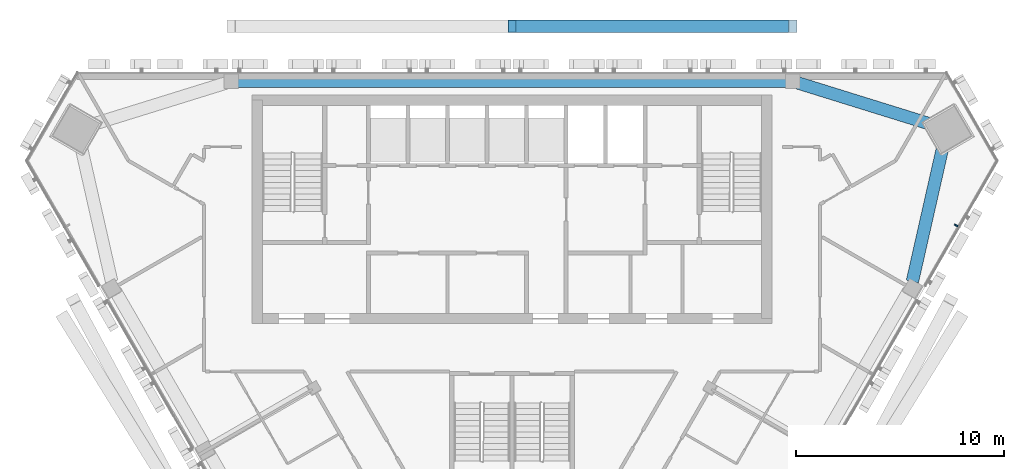
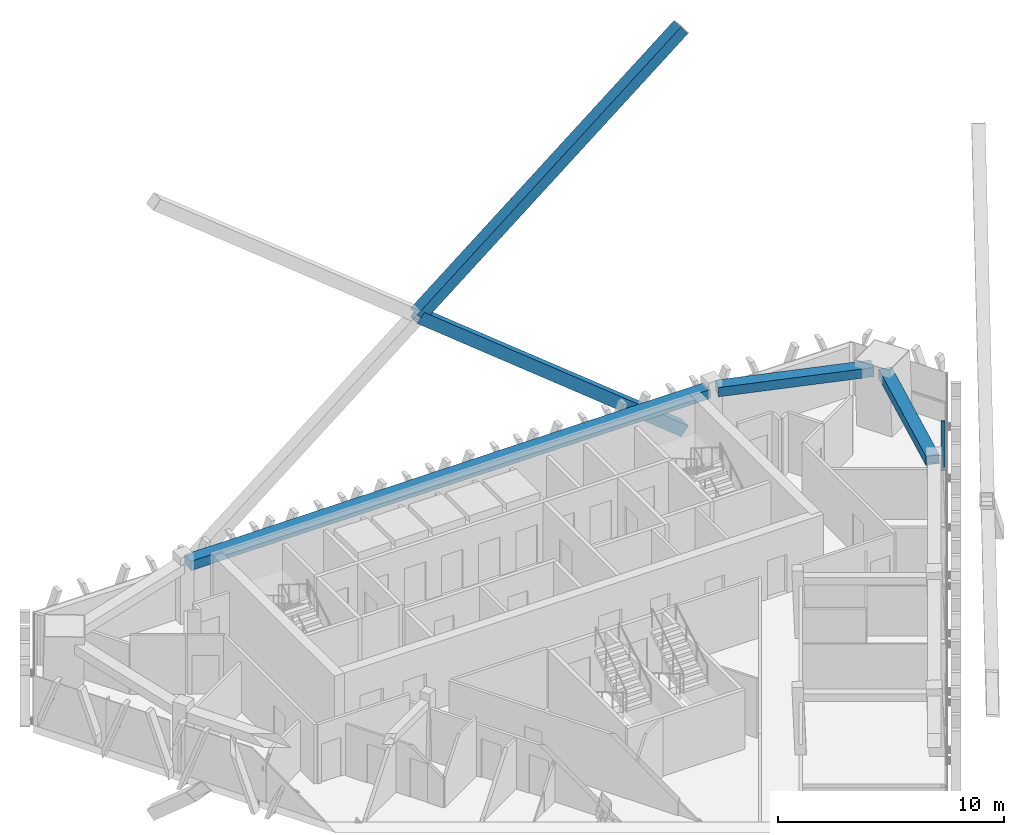
# One storey, part 6 of 14: 3 beams, 3 members, 1 element without a shape of its own.
"""IFC4 building model written with IfcOpenShell, lengths in metres."""

from ifc_helpers import new_model, si_unit, direction, frame, origin, origin_2d, place, context, subcontext, project, spatial, rectangle, hollow_rectangle, extrude, material, layer, layer_set, material_profile, profile_set, type_object, element, aggregate, save


model = new_model("IFC4")

# Units and contexts
model_context = context("Model", 3, precision=1e-05, world=origin(), true_north=direction((0.0, 1.0)))
body_context = subcontext(model_context, "Body", "Model", "MODEL_VIEW")
ifc_project = project(units=[si_unit("LENGTHUNIT", "METRE"), si_unit("AREAUNIT", "SQUARE_METRE"), si_unit("VOLUMEUNIT", "CUBIC_METRE"), si_unit("PLANEANGLEUNIT", "RADIAN"), si_unit("MASSUNIT", "GRAM", prefix="KILO")], contexts=[model_context])

# Site, building, storey
site_placement = place(None, origin())
site = spatial("IfcSite", under=ifc_project, at=site_placement, CompositionType="ELEMENT")
building_placement = place(site_placement, origin())
building = spatial("IfcBuilding", under=site, at=building_placement, Name="Altiplano Prism Tower", CompositionType="ELEMENT")
storey_placement = place(building_placement, frame((0.0, 0.0, 264.39990234375)))
storey = spatial("IfcBuildingStorey", under=building, at=storey_placement, Name="L68", CompositionType="ELEMENT", Elevation=264.39990234375)

# Curtain wall, member
ifc_material_1 = material(Name="Aluminium and glass", Category="aluminium")
ifc_layer = layer(ifc_material_1, 0.280029296875)
ifc_layer_set = layer_set([ifc_layer], Name="Aluminium and glass")
curtain_wall_type = type_object("IfcCurtainWallType", Name="CW1 typical co-living unitised curtain wall", PredefinedType="NOTDEFINED", material=ifc_layer_set)
curtain_wall_placement = place(storey_placement, origin())
curtain_wall = element("IfcCurtainWall", 1, at=curtain_wall_placement, inside=storey, type_object=curtain_wall_type, Name="CW1 curtain wall south-east face L68", PredefinedType="NOTDEFINED")
ifc_material_2 = material(Name="Aluminium", Category="aluminium")
ifc_material_profile_1 = material_profile(ifc_material_2, rectangle(XDim=0.179931640625, YDim=0.06494140625, at=origin_2d()), Name="CW1 mullion 65 x 180")
ifc_profile_set_1 = profile_set([ifc_material_profile_1], Name="Aluminium")
member_type_1 = type_object("IfcMemberType", Name="CW1 mullion 65 x 180", PredefinedType="MULLION", material=ifc_profile_set_1)
member_1_placement = place(storey_placement, frame((106.346923828125, 97.62646484375, 0.0), z_axis=(0.0, 0.0, 1.0), x_axis=(-0.866025409343, 0.499999990372, 0.0)))
member_1 = element("IfcMember", 2, at=member_1_placement, type_object=member_type_1, Name="CW1 mullion", PredefinedType="MULLION", context=body_context, shape_type="SweptSolid", body=[
    extrude(rectangle(XDim=0.179931640625, YDim=0.06494140625, at=origin_2d()), origin(), (0.0, 0.0, 1.0), 2.7001953125),
])
aggregate(curtain_wall, [member_1])

# Beams
ifc_material_3 = material(Name="Concrete C60/75", Category="concrete")
ifc_material_profile_2 = material_profile(ifc_material_3, rectangle(XDim=0.60009765625, YDim=0.5, at=origin_2d()), Name="Edge beam 600x500")
ifc_profile_set_2 = profile_set([ifc_material_profile_2], Name="Concrete C60/75")
beam_type = type_object("IfcBeamType", Name="Edge beam 600x500", PredefinedType="SPANDREL", material=ifc_profile_set_2)
for number, where, z_axis, x_axis, name in (
    (3, (104.246337890625, 94.931640625, 2.9501953125), (0.22062626207, 0.975358422574, 0.0), (-0.975358422574, 0.22062626207, 0.0), "Edge beam P24-M2 L69"),
    (4, (105.472412109375, 102.384521484375, 2.9501953125), (-0.955004999113, 0.296589702569, 0.0), (-0.296589702569, -0.955004999113, 0.0), "Edge beam M2-P01 L69"),
):
    element("IfcBeam", number, at=place(storey_placement, frame(where, z_axis=z_axis, x_axis=x_axis)), inside=storey, type_object=beam_type, Name=name, PredefinedType="SPANDREL", context=body_context, shape_type="SweptSolid", body=[
        extrude(rectangle(XDim=0.60009765625, YDim=0.5, at=origin_2d()), origin(), (0.0, 0.0, 1.0), 7.054443359375),
    ])
beam_placement = place(storey_placement, frame((98.27001953125, 104.550048828125, 2.9501953125), z_axis=(-1.0, 0.0, 0.0), x_axis=(0.0, -1.0, 0.0)))
element("IfcBeam", 5, at=beam_placement, inside=storey, type_object=beam_type, Name="Edge beam P01-P04 L69", PredefinedType="SPANDREL", context=body_context, shape_type="SweptSolid", body=[
    extrude(rectangle(XDim=0.60009765625, YDim=0.5, at=origin_2d()), origin(), (0.0, 0.0, 1.0), 26.5400390625),
])

# Members
ifc_material_4 = material(Name="Steel S355", Category="steel")
ifc_material_profile_3 = material_profile(ifc_material_4, hollow_rectangle(XDim=0.60009765625, YDim=0.60009765625, WallThickness=0.030029296875, at=origin_2d()), Name="Mega brace Box 600x600x30")
ifc_profile_set_3 = profile_set([ifc_material_profile_3], Name="Steel S355")
member_type_2 = type_object("IfcMemberType", Name="Mega brace Box 600x600x30", PredefinedType="BRACE", material=ifc_profile_set_3)
member_2_placement = place(storey_placement, frame((98.5, 107.199951171875, -0.75), z_axis=(-0.779455836189, 0.0, 0.626457180844), x_axis=(0.0, -1.0, 0.0)))
element("IfcMember", 6, at=member_2_placement, inside=storey, type_object=member_type_2, Name="Mega brace 7.0.1", PredefinedType="BRACE", context=body_context, shape_type="SweptSolid", body=[
    extrude(hollow_rectangle(XDim=0.60009765625, YDim=0.60009765625, WallThickness=0.030029296875, at=origin_2d()), origin(), (0.0, 0.0, 1.0), 17.31982421875),
])
member_3_placement = place(storey_placement, frame((85.0, 107.199951171875, 10.10009765625), z_axis=(0.779454758843, 0.0, 0.626458521306), x_axis=(0.0, 1.0, 0.0)))
element("IfcMember", 7, at=member_3_placement, inside=storey, type_object=member_type_2, Name="Mega brace 7.0.4", PredefinedType="BRACE", context=body_context, shape_type="SweptSolid", body=[
    extrude(hollow_rectangle(XDim=0.60009765625, YDim=0.60009765625, WallThickness=0.030029296875, at=origin_2d()), origin(), (0.0, 0.0, 1.0), 17.289794921875),
])

save(model, "model.ifc")
